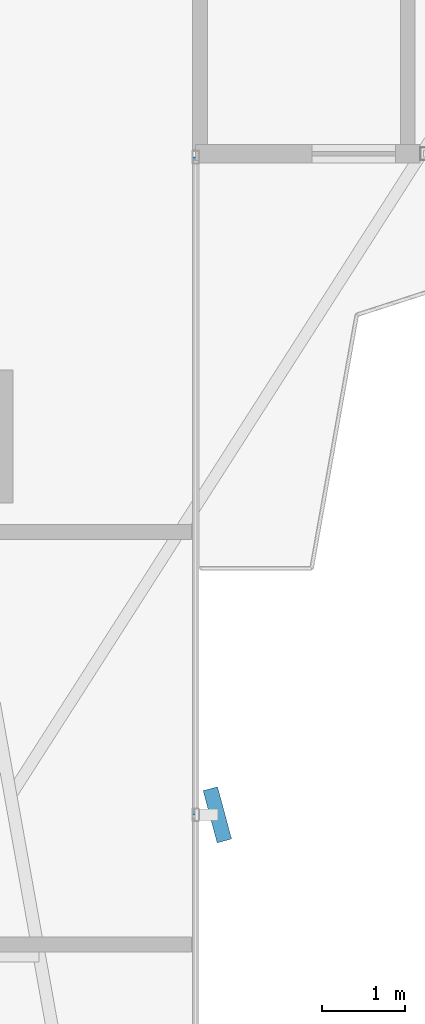
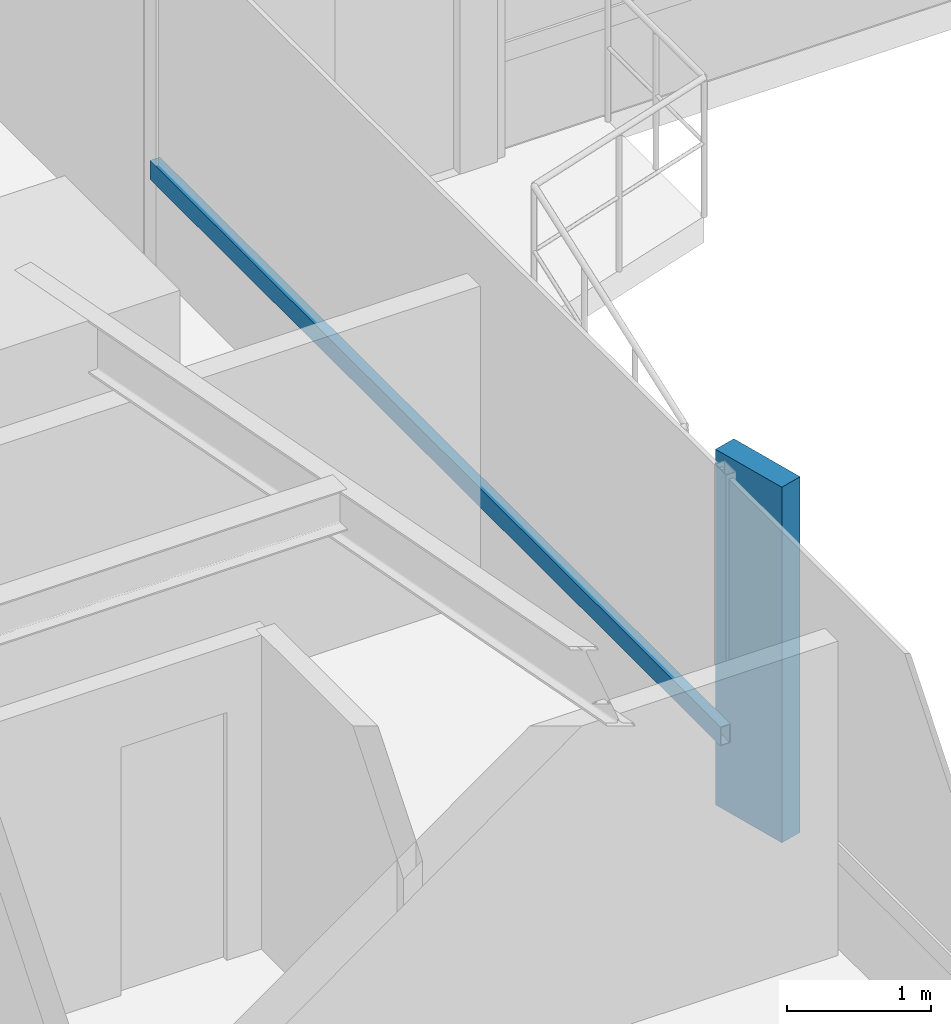
# One storey, part 5 of 25: 2 members, 1 element without a shape of its own.
"""IFC4 building model written with IfcOpenShell, lengths in metres."""

from ifc_helpers import new_model, si_unit, direction, frame, origin, origin_2d, place, context, subcontext, project, spatial, rectangle, hollow_rectangle, extrude, source, transform, mapped, material, material_profile, profile_set, type_object, element, aggregate, save


model = new_model("IFC4")

# Units and contexts
model_context = context("Model", 3, precision=1e-05, world=origin(), true_north=direction((0.0, 1.0)))
body_context = subcontext(model_context, "Body", "Model", "MODEL_VIEW")
ifc_project = project(units=[si_unit("LENGTHUNIT", "METRE"), si_unit("AREAUNIT", "SQUARE_METRE"), si_unit("VOLUMEUNIT", "CUBIC_METRE"), si_unit("PLANEANGLEUNIT", "RADIAN"), si_unit("MASSUNIT", "GRAM", prefix="KILO")], contexts=[model_context])

# Site, building, storey
site_placement = place(None, origin())
site = spatial("IfcSite", under=ifc_project, at=site_placement, CompositionType="ELEMENT")
building_placement = place(site_placement, origin())
building = spatial("IfcBuilding", under=site, at=building_placement, Name="Sahyath Konkavel Grand Hotel", CompositionType="ELEMENT")
storey_placement = place(building_placement, frame((0.0, 0.0, 67.800048828125)))
storey = spatial("IfcBuildingStorey", under=building, at=storey_placement, Name="L18", CompositionType="ELEMENT", Elevation=67.800048828125)

# Curtain wall, members
ifc_material_1 = material(Name="Anodised Bronze Aluminium & Low-E Glazing", Category="aluminium")
curtain_wall_type = type_object("IfcCurtainWallType", Name="CW-ZONE1", PredefinedType="NOTDEFINED", material=ifc_material_1)
curtain_wall_placement = place(storey_placement, origin())
curtain_wall = element("IfcCurtainWall", 1, at=curtain_wall_placement, inside=storey, type_object=curtain_wall_type, Name="L18 Unitised Curtain Wall F31", PredefinedType="NOTDEFINED")
ifc_material_2 = material(Name="Warm Buff Sandstone Cladding on Concrete C50/60", Category="masonry")
ifc_material_profile_1 = material_profile(ifc_material_2, rectangle(XDim=0.179931640625, YDim=0.64990234375, at=origin_2d()), Name="FIN 180x650")
ifc_profile_set_1 = profile_set([ifc_material_profile_1], Name="Warm Buff Sandstone Cladding on Concrete C50/60")
member_type_1 = type_object("IfcMemberType", Name="FIN-SANDSTONE-650", PredefinedType="MULLION", material=ifc_profile_set_1)
shared_shape_1 = source(origin(), body_context, "Body", "SweptSolid", [
    extrude(rectangle(XDim=0.179931640625, YDim=0.64990234375, at=origin_2d()), origin(), (0.0, 0.0, 1.0), 3.010009765625),
])
member_1_placement = place(storey_placement, frame((7.06005859375, -14.75, 0.050048828125), z_axis=(0.0, 0.0, 1.0), x_axis=(0.965744901133, 0.259493325415, 0.0)))
member_1 = element("IfcMember", 2, at=member_1_placement, type_object=member_type_1, Name="L18 Sandstone Vertical Solar Fin FIN F31-1", PredefinedType="MULLION", context=body_context, shape_type="MappedRepresentation", body=[
    mapped(shared_shape_1, transform((0.0, 0.0, 0.0), scale=1.0)),
])
ifc_material_3 = material(Name="Anodised Bronze Aluminium", Category="aluminium")
ifc_material_profile_2 = material_profile(ifc_material_3, hollow_rectangle(XDim=0.080078125, YDim=0.159912109375, WallThickness=0.006103515625, at=origin_2d()), Name="RHS 160x80x6")
ifc_profile_set_2 = profile_set([ifc_material_profile_2], Name="Anodised Bronze Aluminium")
member_type_2 = type_object("IfcMemberType", Name="CW-TRN-160", PredefinedType="USERDEFINED", material=ifc_profile_set_2)
shared_shape_2 = source(origin(), body_context, "Body", "SweptSolid", [
    extrude(hollow_rectangle(XDim=0.080078125, YDim=0.159912109375, WallThickness=0.006103515625, at=origin_2d()), origin(), (0.0, 0.0, 1.0), 7.909912109375),
])
member_2_placement = place(storey_placement, frame((6.800048828125, -14.75, 0.849853515625), z_axis=(0.0, 1.0, 0.0), x_axis=(-1.0, 0.0, 0.0)))
member_2 = element("IfcMember", 3, at=member_2_placement, type_object=member_type_2, Name="L18 Curtain Wall Transom F31-1-spandrel", ObjectType="TRANSOM", PredefinedType="USERDEFINED", context=body_context, shape_type="MappedRepresentation", body=[
    mapped(shared_shape_2, transform((0.0, 0.0, 0.0), scale=1.0)),
])
aggregate(curtain_wall, [member_1, member_2])

save(model, "model.ifc")
